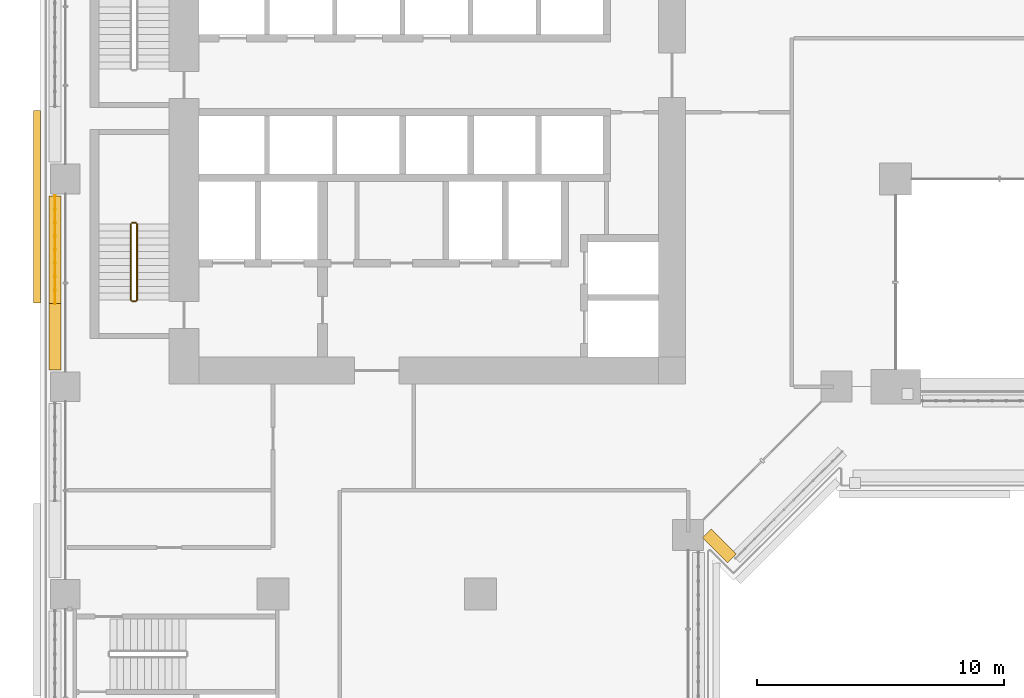
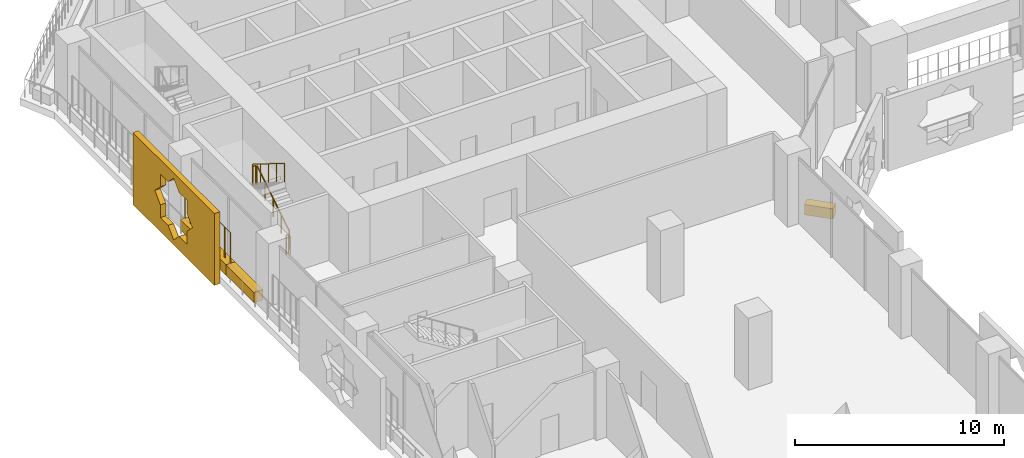
# One storey, part 20 of 27: 5 railings, 4 coverings.
"""IFC4 building model written with IfcOpenShell, lengths in metres."""

import ifcopenshell
import ifcopenshell.guid

model = None  # the IFC model being written
_history = None  # IfcOwnerHistory: only IFC2X3 demands one
_inside = {}  # id of a spatial element -> (the spatial element, [elements in it])
_under = {}  # id of a project, library or spatial element -> (it, [spatial elements below it])
_declared = {}  # id of a project -> (the project, [libraries it declares])
_typed = {}  # id of a type object -> (the type object, [elements of that type])
_made_of = {}  # id of a material, layer set ... -> (it, [elements and type objects made of it])


def new_model(schema):
    """Start an empty IFC model of exactly this schema.

    Asked for "IFC4X3", IfcOpenShell would pick the latest addendum, in which some entities
    have other attributes; the version numbers below select the first issue.
    IFC2X3 requires an IfcOwnerHistory on every rooted entity: one is made here for all.
    """
    global model, _history
    if schema == "IFC4X3":
        model = ifcopenshell.file(schema_version=(4, 3, 0, 0))
    else:
        model = ifcopenshell.file(schema=schema)
    _inside.clear()
    _under.clear()
    _declared.clear()
    _typed.clear()
    _made_of.clear()
    _history = None
    if model.schema == "IFC2X3":
        org = make("IfcOrganization", Name="unknown")
        user = make(
            "IfcPersonAndOrganization",
            ThePerson=make("IfcPerson", FamilyName="unknown"),
            TheOrganization=org,
        )
        app = make(
            "IfcApplication",
            ApplicationDeveloper=org,
            Version="unknown",
            ApplicationFullName="unknown",
            ApplicationIdentifier="unknown",
        )
        _history = make(
            "IfcOwnerHistory",
            OwningUser=user,
            OwningApplication=app,
            ChangeAction="ADDED",
            CreationDate=0,
        )
    return model


def make(cls, **values):
    """One entity of the class cls with the attributes given. An attribute that is None is left unset."""
    return model.create_entity(
        cls, **{name: value for name, value in values.items() if value is not None}
    )


def rooted(cls, **values):
    """An entity with a GlobalId (a new one), such as an element, a storey or a relation."""
    return make(cls, GlobalId=ifcopenshell.guid.new(), OwnerHistory=_history, **values)


def si_unit(unit_type, name, prefix=None):
    """IfcSIUnit, for example si_unit("LENGTHUNIT", "METRE", prefix="MILLI")."""
    return make("IfcSIUnit", UnitType=unit_type, Prefix=prefix, Name=name)


def assignment(units):
    """IfcUnitAssignment: the units of a project."""
    return None if units is None else make("IfcUnitAssignment", Units=units)


def point(xyz):
    """IfcCartesianPoint."""
    return None if xyz is None else make("IfcCartesianPoint", Coordinates=xyz)


def direction(xyz):
    """IfcDirection."""
    return None if xyz is None else make("IfcDirection", DirectionRatios=xyz)


def frame(location, z_axis=None, x_axis=None):
    """IfcAxis2Placement3D, a coordinate frame: its origin and axes. An axis left out is left unset."""
    return make(
        "IfcAxis2Placement3D",
        Location=point(location),
        Axis=direction(z_axis),
        RefDirection=direction(x_axis),
    )


def frame_2d(location, x_axis=None):
    """IfcAxis2Placement2D, a coordinate frame in the plane: its origin and x axis."""
    return make(
        "IfcAxis2Placement2D", Location=point(location), RefDirection=direction(x_axis)
    )


def origin():
    """The frame at (0, 0, 0) with its axes left unset."""
    return frame((0.0, 0.0, 0.0))


def origin_2d():
    """The frame at (0, 0) in the plane with its x axis left unset."""
    return frame_2d((0.0, 0.0))


def place(relative_to, where):
    """IfcLocalPlacement: puts the frame where relative to a parent placement (None: the world)."""
    return make(
        "IfcLocalPlacement", PlacementRelTo=relative_to, RelativePlacement=where
    )


def context(
    kind, dimensions, precision=None, world=None, true_north=None, identifier=None
):
    """IfcGeometricRepresentationContext, for example the 3D "Model" context."""
    return make(
        "IfcGeometricRepresentationContext",
        ContextIdentifier=identifier,
        ContextType=kind,
        CoordinateSpaceDimension=dimensions,
        Precision=precision,
        WorldCoordinateSystem=world,
        TrueNorth=true_north,
    )


def subcontext(parent, identifier, kind, view, scale=None):
    """IfcGeometricRepresentationSubContext, for example "Body" below "Model"."""
    return make(
        "IfcGeometricRepresentationSubContext",
        ContextIdentifier=identifier,
        ContextType=kind,
        ParentContext=parent,
        TargetScale=scale,
        TargetView=view,
    )


def project(units=None, contexts=None):
    """IfcProject with its units and contexts."""
    return rooted(
        "IfcProject",
        Name="project",
        RepresentationContexts=contexts,
        UnitsInContext=assignment(units),
    )


def spatial(cls, under=None, at=None, **own):
    """A site, building, storey or space (cls), placed at a placement, below another one or the project."""
    s = rooted(cls, ObjectPlacement=at, **own)
    if under is not None:
        _under.setdefault(under.id(), (under, []))[1].append(s)
    return s


def polyline(points):
    """IfcPolyline through the points."""
    return make("IfcPolyline", Points=[point(p) for p in points])


def profile(cls, at=None, kind="AREA", **sizes):
    """A parametric profile (cls). Its sizes go by their IFC names, for example OverallWidth=200.0."""
    return make(cls, ProfileType=kind, Position=at, **sizes)


def rectangle(**sizes):
    """IfcRectangleProfileDef."""
    return profile("IfcRectangleProfileDef", **sizes)


def circle(**sizes):
    """IfcCircleProfileDef."""
    return profile("IfcCircleProfileDef", **sizes)


def outline(outer, holes=None, kind="AREA"):
    """IfcArbitraryClosedProfileDef: a profile drawn as a closed curve; with holes, ...WithVoids."""
    if holes is None:
        return make("IfcArbitraryClosedProfileDef", ProfileType=kind, OuterCurve=outer)
    return make(
        "IfcArbitraryProfileDefWithVoids",
        ProfileType=kind,
        OuterCurve=outer,
        InnerCurves=holes,
    )


def extrude(swept, where, along, depth):
    """IfcExtrudedAreaSolid: the profile swept, set in the frame where, extruded along a direction by depth."""
    return make(
        "IfcExtrudedAreaSolid",
        SweptArea=swept,
        Position=where,
        ExtrudedDirection=direction(along),
        Depth=depth,
    )


def shape(context_of_items, identifier, shape_type, items):
    """IfcShapeRepresentation: the items that make up one representation, for example the "Body"."""
    return make(
        "IfcShapeRepresentation",
        ContextOfItems=context_of_items,
        RepresentationIdentifier=identifier,
        RepresentationType=shape_type,
        Items=items,
    )


def material(Name=None, Category=None):
    """IfcMaterial."""
    return make("IfcMaterial", Name=Name, Category=Category)


def material_profile(
    of_material, cross_section, Name=None, Category=None, Priority=None
):
    """IfcMaterialProfile: a cross section and its material."""
    return make(
        "IfcMaterialProfile",
        Name=Name,
        Material=of_material,
        Profile=cross_section,
        Priority=Priority,
        Category=Category,
    )


def profile_set(profiles, Name=None, composite=None):
    """IfcMaterialProfileSet."""
    return make(
        "IfcMaterialProfileSet",
        Name=Name,
        MaterialProfiles=profiles,
        CompositeProfile=composite,
    )


def made_of(thing, what):
    """Note that an element or type object is made of a material, layer set ...; save() writes the relation."""
    if what is not None:
        _made_of.setdefault(what.id(), (what, []))[1].append(thing)
    return thing


def type_object(cls, material=None, **own):
    """A type object (cls), such as IfcWallType, which elements share."""
    return made_of(rooted(cls, **own), material)


def element(
    cls,
    number,
    at=None,
    inside=None,
    cuts=None,
    type_object=None,
    material=None,
    context=None,
    identifier="Body",
    shape_type=None,
    held_by="IfcProductDefinitionShape",
    body=None,
    shapes=None,
    **own,
):
    """One element of the class cls, such as IfcWall. Its Tag is "e" and its number.

    at: its placement. inside: the storey or other place that contains it. cuts: it is an
    opening in that element (IfcRelVoidsElement). A single representation is given by context,
    identifier, shape_type and body (its items); several are given by shapes. held_by: the class
    of the entity that holds the representations. save() writes the other relations.
    """
    e = rooted(cls, Tag="e%d" % number, ObjectPlacement=at, **own)
    if body is not None:
        shapes = [shape(context, identifier, shape_type, body)]
    if shapes is not None:
        e.Representation = make(held_by, Representations=shapes)
    if inside is not None:
        _inside.setdefault(inside.id(), (inside, []))[1].append(e)
    if cuts is not None:
        rooted(
            "IfcRelVoidsElement", RelatingBuildingElement=cuts, RelatedOpeningElement=e
        )
    if type_object is not None:
        _typed.setdefault(type_object.id(), (type_object, []))[1].append(e)
    return made_of(e, material)


def aggregate(whole, parts):
    """IfcRelAggregates: a whole, such as a stair, and the parts it consists of."""
    return rooted("IfcRelAggregates", RelatingObject=whole, RelatedObjects=parts)


def save(model, path):
    """Write the relations noted so far, then the file.

    IfcRelAggregates (storeys below a building ...), IfcRelContainedInSpatialStructure (elements
    in a storey), IfcRelDefinesByType, IfcRelAssociatesMaterial and IfcRelDeclares: one each for
    every whole, place, type object, material and project.
    """
    for whole, parts in _under.values():
        aggregate(whole, parts)
    for where, things in _inside.values():
        rooted(
            "IfcRelContainedInSpatialStructure",
            RelatedElements=things,
            RelatingStructure=where,
        )
    for kind, things in _typed.values():
        rooted("IfcRelDefinesByType", RelatedObjects=things, RelatingType=kind)
    for what, things in _made_of.values():
        rooted("IfcRelAssociatesMaterial", RelatedObjects=things, RelatingMaterial=what)
    for by, libraries in _declared.values():
        rooted("IfcRelDeclares", RelatingContext=by, RelatedDefinitions=libraries)
    model.write(path)


model = new_model("IFC4")

# Units and contexts
model_context = context("Model", 3, precision=1e-05, world=origin(), true_north=direction((0.0, 1.0)))
body_context = subcontext(model_context, "Body", "Model", "MODEL_VIEW")
ifc_project = project(units=[si_unit("LENGTHUNIT", "METRE"), si_unit("AREAUNIT", "SQUARE_METRE"), si_unit("VOLUMEUNIT", "CUBIC_METRE"), si_unit("PLANEANGLEUNIT", "RADIAN"), si_unit("MASSUNIT", "GRAM", prefix="KILO")], contexts=[model_context])

# Site, building, storey
site_placement = place(None, origin())
site = spatial("IfcSite", under=ifc_project, at=site_placement, CompositionType="ELEMENT")
building_placement = place(site_placement, origin())
building = spatial("IfcBuilding", under=site, at=building_placement, Name="Kawkab Arch Medical Tower", CompositionType="ELEMENT")
storey_placement = place(building_placement, frame((0.0, 0.0, 43.39990234375)))
storey = spatial("IfcBuildingStorey", under=building, at=storey_placement, Name="L09", CompositionType="ELEMENT", Elevation=43.39990234375)

# Coverings
ifc_material_1 = material(Name="Bronze anodised aluminium mashrabiya panel, eight-point star pattern", Category="aluminium")
ifc_material_profile_1 = material_profile(ifc_material_1, outline(polyline([(-3.89990234375, -2.10009765625), (3.89990234375, -2.10009765625), (3.89990234375, 2.10009765625), (-3.89990234375, 2.10009765625), (-3.89990234375, -2.10009765625)]), holes=[polyline([(1.800048828125, 0.0), (1.272705078125, 0.527099609375), (1.272705078125, 1.272705078125), (0.527099609375, 1.272705078125), (0.0, 1.800048828125), (-0.527099609375, 1.272705078125), (-1.272705078125, 1.272705078125), (-1.272705078125, 0.527099609375), (-1.800048828125, 0.0), (-1.272705078125, -0.527099609375), (-1.272705078125, -1.272705078125), (-0.527099609375, -1.272705078125), (0.0, -1.800048828125), (0.527099609375, -1.272705078125), (1.272705078125, -1.272705078125), (1.272705078125, -0.527099609375), (1.800048828125, 0.0)])]), Name="Mashrabiya panel 7800x4200")
ifc_profile_set_1 = profile_set([ifc_material_profile_1], Name="Bronze anodised aluminium mashrabiya panel, eight-point star pattern")
covering_type_1 = type_object("IfcCoveringType", Name="Mashrabiya panel 7800 x 4200", PredefinedType="USERDEFINED", material=ifc_profile_set_1)
covering_1_placement = place(storey_placement, frame((-1.0, -17.923583984375, 1.7001953125), z_axis=(-1.0, 0.0, 0.0), x_axis=(0.0, -1.0, 0.0)))
element("IfcCovering", 1, at=covering_1_placement, inside=storey, type_object=covering_type_1, Name="Mashrabiya panel L09.LOG-01-02.5", ObjectType="SCREEN", PredefinedType="USERDEFINED", context=body_context, shape_type="SweptSolid", body=[
    extrude(outline(polyline([(-3.89990234375, -2.10009765625), (3.89990234375, -2.10009765625), (3.89990234375, 2.10009765625), (-3.89990234375, 2.10009765625), (-3.89990234375, -2.10009765625)]), holes=[polyline([(1.800048828125, 0.0), (1.272705078125, 0.527099609375), (1.272705078125, 1.272705078125), (0.527099609375, 1.272705078125), (0.0, 1.800048828125), (-0.527099609375, 1.272705078125), (-1.272705078125, 1.272705078125), (-1.272705078125, 0.527099609375), (-1.800048828125, 0.0), (-1.272705078125, -0.527099609375), (-1.272705078125, -1.272705078125), (-0.527099609375, -1.272705078125), (0.0, -1.800048828125), (0.527099609375, -1.272705078125), (1.272705078125, -1.272705078125), (1.272705078125, -0.527099609375), (1.800048828125, 0.0)])]), origin(), (0.0, 0.0, 1.0), 0.300048828125),
])
ifc_material_2 = material(Name="Planting soil in a precast trough", Category="concrete")
ifc_material_profile_2 = material_profile(ifc_material_2, rectangle(XDim=0.5, YDim=0.60009765625, at=origin_2d()), Name="Trough 500x600")
ifc_profile_set_2 = profile_set([ifc_material_profile_2], Name="Planting soil in a precast trough")
covering_type_2 = type_object("IfcCoveringType", Name="Planter trough 500 x 600", PredefinedType="USERDEFINED", material=ifc_profile_set_2)
covering_2_placement = place(storey_placement, frame((-0.419921875, -24.52001953125, 0.300048828125), z_axis=(0.0, 1.0, 0.0), x_axis=(-1.0, 0.0, 0.0)))
element("IfcCovering", 2, at=covering_2_placement, inside=storey, type_object=covering_type_2, Name="Planter L09.LOG-01-02.18", ObjectType="PLANTER", PredefinedType="USERDEFINED", context=body_context, shape_type="SweptSolid", body=[
    extrude(rectangle(XDim=0.5, YDim=0.60009765625, at=origin_2d()), origin(), (0.0, 0.0, 1.0), 2.68310546875),
])
covering_3_placement = place(storey_placement, frame((-0.419921875, -21.8369140625, 0.300048828125), z_axis=(0.0, 1.0, 0.0), x_axis=(-1.0, 0.0, 0.0)))
element("IfcCovering", 3, at=covering_3_placement, inside=storey, type_object=covering_type_2, Name="Planter L09.LOG-01-02.19", ObjectType="PLANTER", PredefinedType="USERDEFINED", context=body_context, shape_type="SweptSolid", body=[
    extrude(rectangle(XDim=0.5, YDim=0.60009765625, at=origin_2d()), origin(), (0.0, 0.0, 1.0), 4.35693359375),
])
covering_4_placement = place(storey_placement, frame((26.967041015625, -32.14697265625, 0.300048828125), z_axis=(-0.707192746389, 0.707020805532, 0.0), x_axis=(-0.707020805532, -0.707192746389, 0.0)))
element("IfcCovering", 4, at=covering_4_placement, inside=storey, type_object=covering_type_2, Name="Planter L09.LOG-01-02.48", ObjectType="PLANTER", PredefinedType="USERDEFINED", context=body_context, shape_type="SweptSolid", body=[
    extrude(rectangle(XDim=0.5, YDim=0.60009765625, at=origin_2d()), origin(), (0.0, 0.0, 1.0), 1.419921875),
])

# Railings
ifc_material_3 = material(Name="Bronze anodised aluminium trellis for climbing plants", Category="aluminium")
railing_type_1 = type_object("IfcRailingType", Name="Planting trellis 2400", PredefinedType="USERDEFINED", material=ifc_material_3)
railing_1_placement = place(storey_placement, frame((-0.419921875, -21.8369140625, 0.0)))
element("IfcRailing", 5, at=railing_1_placement, inside=storey, type_object=railing_type_1, Name="Planting trellis L09.LOG-01-02.19", ObjectType="TRELLIS", PredefinedType="USERDEFINED", context=body_context, shape_type="SweptSolid", body=[
    extrude(circle(Radius=0.01513671875, at=origin_2d()), frame((0.0, 0.0, 2.384765625), z_axis=(0.0, 1.0, 0.0), x_axis=(-1.0, 0.0, 0.0)), (0.0, 0.0, 1.0), 4.35693359375),
    extrude(circle(Radius=0.030029296875, at=origin_2d()), origin(), (0.0, 0.0, 1.0), 2.369873046875),
    extrude(circle(Radius=0.030029296875, at=origin_2d()), frame((0.0, 0.544677734375, 0.0)), (0.0, 0.0, 1.0), 2.369873046875),
    extrude(circle(Radius=0.030029296875, at=origin_2d()), frame((0.0, 1.08935546875, 0.0)), (0.0, 0.0, 1.0), 2.369873046875),
    extrude(circle(Radius=0.030029296875, at=origin_2d()), frame((0.0, 1.6337890625, 0.0)), (0.0, 0.0, 1.0), 2.369873046875),
    extrude(circle(Radius=0.030029296875, at=origin_2d()), frame((0.0, 2.178466796875, 0.0)), (0.0, 0.0, 1.0), 2.369873046875),
    extrude(circle(Radius=0.030029296875, at=origin_2d()), frame((0.0, 2.72314453125, 0.0)), (0.0, 0.0, 1.0), 2.369873046875),
    extrude(circle(Radius=0.030029296875, at=origin_2d()), frame((0.0, 3.267578125, 0.0)), (0.0, 0.0, 1.0), 2.369873046875),
    extrude(circle(Radius=0.030029296875, at=origin_2d()), frame((0.0, 3.812255859375, 0.0)), (0.0, 0.0, 1.0), 2.369873046875),
    extrude(circle(Radius=0.030029296875, at=origin_2d()), frame((0.0, 4.35693359375, 0.0)), (0.0, 0.0, 1.0), 2.369873046875),
])
ifc_material_4 = material(Name="Stainless steel", Category="steel")
railing_type_2 = type_object("IfcRailingType", Name="Stair guard 1100", PredefinedType="GUARDRAIL", material=ifc_material_4)
railing_2_placement = place(storey_placement, frame((2.89990234375, -21.699951171875, 0.175048828125)))
element("IfcRailing", 6, at=railing_2_placement, inside=storey, type_object=railing_type_2, Name="L09 ST2 stair guard 1", PredefinedType="GUARDRAIL", context=body_context, shape_type="SweptSolid", body=[
    extrude(circle(Radius=0.02392578125, at=origin_2d()), frame((0.0, 0.0, 1.076171875), z_axis=(0.0, 0.847979421464, 0.530029150871), x_axis=(-1.0, 0.0, 0.0)), (0.0, 0.0, 1.0), 3.632080078125),
    extrude(circle(Radius=0.02099609375, at=origin_2d()), origin(), (0.0, 0.0, 1.0), 1.052001953125),
    extrude(circle(Radius=0.02099609375, at=origin_2d()), frame((0.0, 0.77001953125, 0.481201171875)), (0.0, 0.0, 1.0), 1.052001953125),
    extrude(circle(Radius=0.02099609375, at=origin_2d()), frame((0.0, 1.5400390625, 0.96240234375)), (0.0, 0.0, 1.0), 1.052001953125),
    extrude(circle(Radius=0.02099609375, at=origin_2d()), frame((0.0, 2.309814453125, 1.44384765625)), (0.0, 0.0, 1.0), 1.052001953125),
    extrude(circle(Radius=0.02099609375, at=origin_2d()), frame((0.0, 3.079833984375, 1.925048828125)), (0.0, 0.0, 1.0), 1.052001953125),
])
railing_3_placement = place(storey_placement, frame((2.85009765625, -18.570068359375, 2.10009765625)))
element("IfcRailing", 7, at=railing_3_placement, inside=storey, type_object=railing_type_2, Name="L09 ST2 stair guard 2", PredefinedType="GUARDRAIL", context=body_context, shape_type="SweptSolid", body=[
    extrude(circle(Radius=0.02392578125, at=origin_2d()), frame((0.0, 0.0, 1.076171875), z_axis=(-1.0, 0.0, 0.0), x_axis=(0.0, -1.0, 0.0)), (0.0, 0.0, 1.0), 0.150146484375),
    extrude(circle(Radius=0.02099609375, at=origin_2d()), origin(), (0.0, 0.0, 1.0), 1.052001953125),
    extrude(circle(Radius=0.02099609375, at=origin_2d()), frame((-0.150146484375, 0.0, 0.0)), (0.0, 0.0, 1.0), 1.052001953125),
])
railing_4_placement = place(storey_placement, frame((2.64990234375, -18.6201171875, 2.275146484375)))
element("IfcRailing", 8, at=railing_4_placement, inside=storey, type_object=railing_type_2, Name="L09 ST2 stair guard 3", PredefinedType="GUARDRAIL", context=body_context, shape_type="SweptSolid", body=[
    extrude(circle(Radius=0.02392578125, at=origin_2d()), frame((0.0, 0.0, 1.076171875), z_axis=(0.0, -0.847979421464, 0.530029150871), x_axis=(1.0, 0.0, 0.0)), (0.0, 0.0, 1.0), 3.632080078125),
    extrude(circle(Radius=0.02099609375, at=origin_2d()), origin(), (0.0, 0.0, 1.0), 1.052001953125),
    extrude(circle(Radius=0.02099609375, at=origin_2d()), frame((0.0, -0.77001953125, 0.481201171875)), (0.0, 0.0, 1.0), 1.052001953125),
    extrude(circle(Radius=0.02099609375, at=origin_2d()), frame((0.0, -1.5400390625, 0.96240234375)), (0.0, 0.0, 1.0), 1.052001953125),
    extrude(circle(Radius=0.02099609375, at=origin_2d()), frame((0.0, -2.309814453125, 1.44384765625)), (0.0, 0.0, 1.0), 1.052001953125),
    extrude(circle(Radius=0.02099609375, at=origin_2d()), frame((0.0, -3.079833984375, 1.925048828125)), (0.0, 0.0, 1.0), 1.052001953125),
])
railing_5_placement = place(storey_placement, frame((2.85009765625, -21.75, 0.0)))
element("IfcRailing", 9, at=railing_5_placement, inside=storey, type_object=railing_type_2, Name="L09 ST2 stair guard 4", PredefinedType="GUARDRAIL", context=body_context, shape_type="SweptSolid", body=[
    extrude(circle(Radius=0.02392578125, at=origin_2d()), frame((0.0, 0.0, 1.076171875), z_axis=(-1.0, 0.0, 0.0), x_axis=(0.0, -1.0, 0.0)), (0.0, 0.0, 1.0), 0.150146484375),
    extrude(circle(Radius=0.02099609375, at=origin_2d()), origin(), (0.0, 0.0, 1.0), 1.052001953125),
    extrude(circle(Radius=0.02099609375, at=origin_2d()), frame((-0.150146484375, 0.0, 0.0)), (0.0, 0.0, 1.0), 1.052001953125),
])

save(model, "model.ifc")
